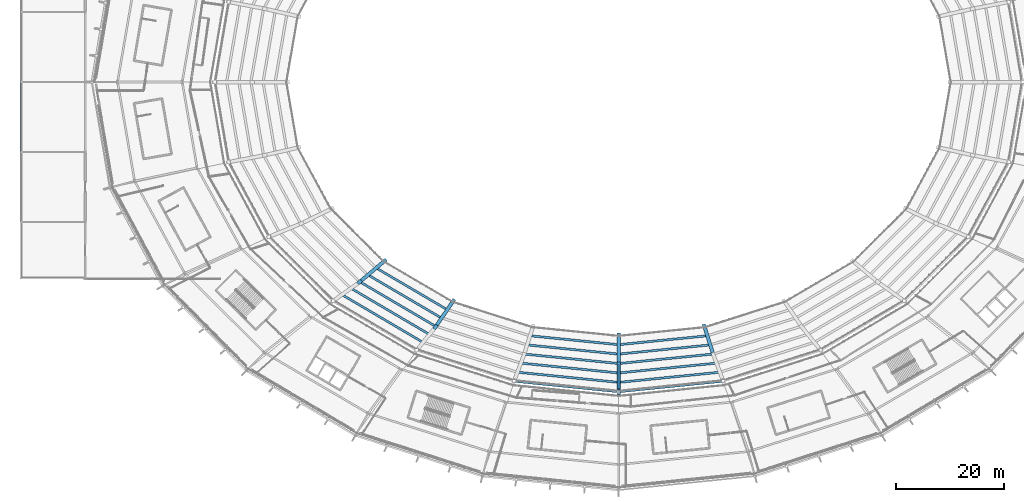
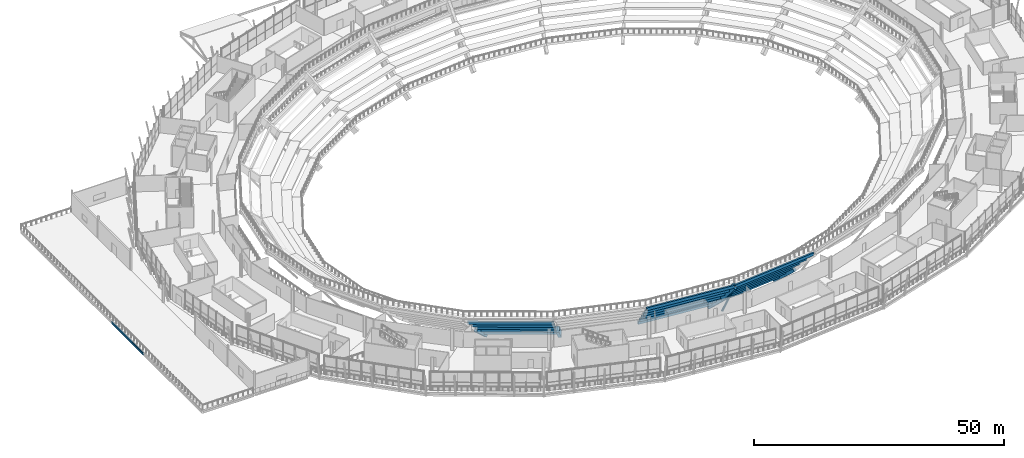
# One storey, part 24 of 126: 23 beams, 1 member.
"""IFC4 building model written with IfcOpenShell, lengths in metres."""

from ifc_helpers import new_model, si_unit, direction, frame, origin, origin_2d, place, context, subcontext, project, spatial, rectangle, hollow_circle, i_section, extrude, material, material_profile, profile_set, type_object, element, save


model = new_model("IFC4")

# Units and contexts
model_context = context("Model", 3, precision=1e-05, world=origin(), true_north=direction((0.0, 1.0)))
body_context = subcontext(model_context, "Body", "Model", "MODEL_VIEW")
ifc_project = project(units=[si_unit("LENGTHUNIT", "METRE"), si_unit("AREAUNIT", "SQUARE_METRE"), si_unit("VOLUMEUNIT", "CUBIC_METRE"), si_unit("PLANEANGLEUNIT", "RADIAN"), si_unit("MASSUNIT", "GRAM", prefix="KILO")], contexts=[model_context])

# Site, building, storey
site_placement = place(None, origin())
site = spatial("IfcSite", under=ifc_project, at=site_placement, CompositionType="ELEMENT")
building_placement = place(site_placement, origin())
building = spatial("IfcBuilding", under=site, at=building_placement, Name="Zlatoyarsky Gate Stadium", CompositionType="ELEMENT")
storey_placement = place(building_placement, frame((0.0, 0.0, 20.800048828125)))
storey = spatial("IfcBuildingStorey", under=building, at=storey_placement, Name="L04", CompositionType="ELEMENT", Elevation=20.800048828125)

# Beams
ifc_material_1 = material(Name="Concrete C40/50", Category="concrete")
ifc_material_profile_1 = material_profile(ifc_material_1, rectangle(XDim=0.39990234375, YDim=0.699951171875, at=origin_2d()), Name="RC BEAM 400X700")
ifc_profile_set_1 = profile_set([ifc_material_profile_1], Name="Concrete C40/50")
beam_type_1 = type_object("IfcBeamType", Name="CONCRETE FLOOR BEAM 400X700", PredefinedType="BEAM", material=ifc_profile_set_1)
beam_1_placement = place(storey_placement, frame((66.008056640625, 45.477783203125, -5.31005859375), z_axis=(0.862487853055, -0.506077764117, 0.0), x_axis=(0.506077764117, 0.862487853055, 0.0)))
element("IfcBeam", 1, at=beam_1_placement, inside=storey, type_object=beam_type_1, Name="Upper bowl step tie beam 15.1", PredefinedType="BEAM", context=body_context, shape_type="SweptSolid", body=[
    extrude(rectangle(XDim=0.39990234375, YDim=0.699951171875, at=origin_2d()), origin(), (0.0, 0.0, 1.0), 15.1083984375),
])
beam_2_placement = place(storey_placement, frame((64.417236328125, 44.240478515625, -3.41015625), z_axis=(0.862355376673, -0.506303470581, 0.0), x_axis=(0.506303470581, 0.862355376673, 0.0)))
element("IfcBeam", 2, at=beam_2_placement, inside=storey, type_object=beam_type_1, Name="Upper bowl step tie beam 15.2", PredefinedType="BEAM", context=body_context, shape_type="SweptSolid", body=[
    extrude(rectangle(XDim=0.39990234375, YDim=0.699951171875, at=origin_2d()), origin(), (0.0, 0.0, 1.0), 15.65087890625),
])
beam_3_placement = place(storey_placement, frame((62.826171875, 43.0029296875, -1.510009765625), z_axis=(0.862235591154, -0.50650743859, 0.0), x_axis=(0.50650743859, 0.862235591154, 0.0)))
element("IfcBeam", 3, at=beam_3_placement, inside=storey, type_object=beam_type_1, Name="Upper bowl step tie beam 15.3", PredefinedType="BEAM", context=body_context, shape_type="SweptSolid", body=[
    extrude(rectangle(XDim=0.39990234375, YDim=0.699951171875, at=origin_2d()), origin(), (0.0, 0.0, 1.0), 16.193603515625),
])
beam_4_placement = place(storey_placement, frame((61.235107421875, 41.765380859375, 0.389892578125), z_axis=(0.862129902882, -0.506687310435, 0.0), x_axis=(0.506687310435, 0.862129902882, 0.0)))
element("IfcBeam", 4, at=beam_4_placement, inside=storey, type_object=beam_type_1, Name="Upper bowl step tie beam 15.4", PredefinedType="BEAM", context=body_context, shape_type="SweptSolid", body=[
    extrude(rectangle(XDim=0.39990234375, YDim=0.699951171875, at=origin_2d()), origin(), (0.0, 0.0, 1.0), 16.736083984375),
])
beam_5_placement = place(storey_placement, frame((59.644287109375, 40.528076171875, 2.2900390625), z_axis=(0.862014840694, -0.506883038209, 0.0), x_axis=(0.506883038209, 0.862014840694, 0.0)))
element("IfcBeam", 5, at=beam_5_placement, inside=storey, type_object=beam_type_1, Name="Upper bowl step tie beam 15.5", PredefinedType="BEAM", context=body_context, shape_type="SweptSolid", body=[
    extrude(rectangle(XDim=0.39990234375, YDim=0.699951171875, at=origin_2d()), origin(), (0.0, 0.0, 1.0), 17.27880859375),
])
beam_6_placement = place(storey_placement, frame((94.599853515625, 32.901123046875, -5.31005859375), z_axis=(0.994970127488, -0.100172078976, 0.0), x_axis=(0.100172078976, 0.994970127488, 0.0)))
element("IfcBeam", 6, at=beam_6_placement, inside=storey, type_object=beam_type_1, Name="Upper bowl step tie beam 17.1", PredefinedType="BEAM", context=body_context, shape_type="SweptSolid", body=[
    extrude(rectangle(XDim=0.39990234375, YDim=0.699951171875, at=origin_2d()), origin(), (0.0, 0.0, 1.0), 16.383056640625),
])
beam_7_placement = place(storey_placement, frame((94.017333984375, 31.210693359375, -3.41015625), z_axis=(0.99496470381, -0.100225935632, 0.0), x_axis=(0.100225935632, 0.99496470381, 0.0)))
element("IfcBeam", 7, at=beam_7_placement, inside=storey, type_object=beam_type_1, Name="Upper bowl step tie beam 17.2", PredefinedType="BEAM", context=body_context, shape_type="SweptSolid", body=[
    extrude(rectangle(XDim=0.39990234375, YDim=0.699951171875, at=origin_2d()), origin(), (0.0, 0.0, 1.0), 16.968505859375),
])
beam_8_placement = place(storey_placement, frame((93.43505859375, 29.5205078125, -1.510009765625), z_axis=(0.994958111752, -0.100291354858, 0.0), x_axis=(0.100291354858, 0.994958111752, 0.0)))
element("IfcBeam", 8, at=beam_8_placement, inside=storey, type_object=beam_type_1, Name="Upper bowl step tie beam 17.3", PredefinedType="BEAM", context=body_context, shape_type="SweptSolid", body=[
    extrude(rectangle(XDim=0.39990234375, YDim=0.699951171875, at=origin_2d()), origin(), (0.0, 0.0, 1.0), 17.553955078125),
])
beam_9_placement = place(storey_placement, frame((92.852783203125, 27.830078125, 0.389892578125), z_axis=(0.994953285012, -0.100339227842, 0.0), x_axis=(0.100339227842, 0.994953285012, 0.0)))
element("IfcBeam", 9, at=beam_9_placement, inside=storey, type_object=beam_type_1, Name="Upper bowl step tie beam 17.4", PredefinedType="BEAM", context=body_context, shape_type="SweptSolid", body=[
    extrude(rectangle(XDim=0.39990234375, YDim=0.699951171875, at=origin_2d()), origin(), (0.0, 0.0, 1.0), 18.13916015625),
])
beam_10_placement = place(storey_placement, frame((92.2705078125, 26.1396484375, 2.2900390625), z_axis=(0.994948757941, -0.100384107661, 0.0), x_axis=(0.100384107661, 0.994948757941, 0.0)))
element("IfcBeam", 10, at=beam_10_placement, inside=storey, type_object=beam_type_1, Name="Upper bowl step tie beam 17.5", PredefinedType="BEAM", context=body_context, shape_type="SweptSolid", body=[
    extrude(rectangle(XDim=0.39990234375, YDim=0.699951171875, at=origin_2d()), origin(), (0.0, 0.0, 1.0), 18.724365234375),
])
beam_11_placement = place(storey_placement, frame((91.68798828125, 24.44921875, 4.18994140625), z_axis=(0.994944630986, -0.100425003227, 0.0), x_axis=(0.100425003227, 0.994944630986, 0.0)))
element("IfcBeam", 11, at=beam_11_placement, inside=storey, type_object=beam_type_1, Name="Upper bowl step tie beam 17.6", PredefinedType="BEAM", context=body_context, shape_type="SweptSolid", body=[
    extrude(rectangle(XDim=0.39990234375, YDim=0.699951171875, at=origin_2d()), origin(), (0.0, 0.0, 1.0), 19.31005859375),
])
beam_12_placement = place(storey_placement, frame((111.099609375, 31.260009765625, -5.31005859375), z_axis=(0.994970127488, 0.100172078976, 0.0), x_axis=(-0.100172078976, 0.994970127488, 0.0)))
element("IfcBeam", 12, at=beam_12_placement, inside=storey, type_object=beam_type_1, Name="Upper bowl step tie beam 18.1", PredefinedType="BEAM", context=body_context, shape_type="SweptSolid", body=[
    extrude(rectangle(XDim=0.39990234375, YDim=0.699951171875, at=origin_2d()), origin(), (0.0, 0.0, 1.0), 16.383056640625),
])
beam_13_placement = place(storey_placement, frame((111.099609375, 29.510009765625, -3.41015625), z_axis=(0.99496470381, 0.100225935632, 0.0), x_axis=(-0.100225935632, 0.99496470381, 0.0)))
element("IfcBeam", 13, at=beam_13_placement, inside=storey, type_object=beam_type_1, Name="Upper bowl step tie beam 18.2", PredefinedType="BEAM", context=body_context, shape_type="SweptSolid", body=[
    extrude(rectangle(XDim=0.39990234375, YDim=0.699951171875, at=origin_2d()), origin(), (0.0, 0.0, 1.0), 16.968505859375),
])
beam_14_placement = place(storey_placement, frame((111.099609375, 27.760009765625, -1.510009765625), z_axis=(0.994958111752, 0.100291354858, 0.0), x_axis=(-0.100291354858, 0.994958111752, 0.0)))
element("IfcBeam", 14, at=beam_14_placement, inside=storey, type_object=beam_type_1, Name="Upper bowl step tie beam 18.3", PredefinedType="BEAM", context=body_context, shape_type="SweptSolid", body=[
    extrude(rectangle(XDim=0.39990234375, YDim=0.699951171875, at=origin_2d()), origin(), (0.0, 0.0, 1.0), 17.553955078125),
])
beam_15_placement = place(storey_placement, frame((111.099609375, 26.010009765625, 0.389892578125), z_axis=(0.994953285012, 0.100339227842, 0.0), x_axis=(-0.100339227842, 0.994953285012, 0.0)))
element("IfcBeam", 15, at=beam_15_placement, inside=storey, type_object=beam_type_1, Name="Upper bowl step tie beam 18.4", PredefinedType="BEAM", context=body_context, shape_type="SweptSolid", body=[
    extrude(rectangle(XDim=0.39990234375, YDim=0.699951171875, at=origin_2d()), origin(), (0.0, 0.0, 1.0), 18.13916015625),
])
beam_16_placement = place(storey_placement, frame((111.099609375, 24.260009765625, 2.2900390625), z_axis=(0.994948757941, 0.100384107661, 0.0), x_axis=(-0.100384107661, 0.994948757941, 0.0)))
element("IfcBeam", 16, at=beam_16_placement, inside=storey, type_object=beam_type_1, Name="Upper bowl step tie beam 18.5", PredefinedType="BEAM", context=body_context, shape_type="SweptSolid", body=[
    extrude(rectangle(XDim=0.39990234375, YDim=0.699951171875, at=origin_2d()), origin(), (0.0, 0.0, 1.0), 18.724365234375),
])
beam_17_placement = place(storey_placement, frame((111.099609375, 22.510009765625, 4.18994140625), z_axis=(0.994944630986, 0.100425003227, 0.0), x_axis=(-0.100425003227, 0.994944630986, 0.0)))
element("IfcBeam", 17, at=beam_17_placement, inside=storey, type_object=beam_type_1, Name="Upper bowl step tie beam 18.6", PredefinedType="BEAM", context=body_context, shape_type="SweptSolid", body=[
    extrude(rectangle(XDim=0.39990234375, YDim=0.699951171875, at=origin_2d()), origin(), (0.0, 0.0, 1.0), 19.31005859375),
])
ifc_material_2 = material(Name="Precast concrete C40/50", Category="concrete")
ifc_material_profile_2 = material_profile(ifc_material_2, rectangle(XDim=0.64990234375, YDim=1.35009765625, at=origin_2d()), Name="PC RAKER 650X1350")
ifc_profile_set_2 = profile_set([ifc_material_profile_2], Name="Precast concrete C40/50")
beam_type_2 = type_object("IfcBeamType", Name="PRECAST UPPER BOWL RAKER 650X1350", PredefinedType="USERDEFINED", material=ifc_profile_set_2)
beam_18_placement = place(storey_placement, frame((67.512939453125, 46.76611328125, -6.949951171875), z_axis=(-0.576313103177, -0.487658968108, 0.655783453535), x_axis=(0.645949512336, -0.763380133035, 0.0)))
element("IfcBeam", 18, at=beam_18_placement, inside=storey, type_object=beam_type_2, Name="Upper bowl radial raker 15 inner", ObjectType="RAKER", PredefinedType="USERDEFINED", context=body_context, shape_type="SweptSolid", body=[
    extrude(rectangle(XDim=0.64990234375, YDim=1.35009765625, at=origin_2d()), origin(), (0.0, 0.0, 1.0), 7.97509765625),
])
beam_19_placement = place(storey_placement, frame((80.25, 39.296875, -6.949951171875), z_axis=(-0.417480208866, -0.611856886642, 0.671819488757), x_axis=(0.826035604604, -0.563617937903, 0.0)))
element("IfcBeam", 19, at=beam_19_placement, inside=storey, type_object=beam_type_2, Name="Upper bowl radial raker 16 inner", ObjectType="RAKER", PredefinedType="USERDEFINED", context=body_context, shape_type="SweptSolid", body=[
    extrude(rectangle(XDim=0.64990234375, YDim=1.35009765625, at=origin_2d()), origin(), (0.0, 0.0, 1.0), 7.784912109375),
])
beam_20_placement = place(storey_placement, frame((111.0, 33.0, -6.949951171875), z_axis=(0.0, -0.724671673189, 0.689094308551), x_axis=(1.0, 0.0, 0.0)))
element("IfcBeam", 20, at=beam_20_placement, inside=storey, type_object=beam_type_2, Name="Upper bowl radial raker 18 inner", ObjectType="RAKER", PredefinedType="USERDEFINED", context=body_context, shape_type="SweptSolid", body=[
    extrude(rectangle(XDim=0.64990234375, YDim=1.35009765625, at=origin_2d()), origin(), (0.0, 0.0, 1.0), 7.589599609375),
])
beam_21_placement = place(storey_placement, frame((111.0, 27.5, -1.719970703125), z_axis=(0.0, -0.645889931043, 0.763430544959), x_axis=(1.0, 0.0, 0.0)))
element("IfcBeam", 21, at=beam_21_placement, inside=storey, type_object=beam_type_2, Name="Upper bowl radial raker 18 outer", ObjectType="RAKER", PredefinedType="USERDEFINED", context=body_context, shape_type="SweptSolid", body=[
    extrude(rectangle(XDim=0.64990234375, YDim=1.35009765625, at=origin_2d()), origin(), (0.0, 0.0, 1.0), 7.7412109375),
])
beam_22_placement = place(storey_placement, frame((126.91748046875, 34.6015625, -6.949951171875), z_axis=(0.220102487858, -0.695159686253, 0.684330260508), x_axis=(0.953354623254, 0.301852550628, 0.0)))
element("IfcBeam", 22, at=beam_22_placement, inside=storey, type_object=beam_type_2, Name="Upper bowl radial raker 19 inner", ObjectType="RAKER", PredefinedType="USERDEFINED", context=body_context, shape_type="SweptSolid", body=[
    extrude(rectangle(XDim=0.64990234375, YDim=1.35009765625, at=origin_2d()), origin(), (0.0, 0.0, 1.0), 7.642578125),
])

# Member
ifc_material_3 = material(Name="Steel S355", Category="steel")
ifc_material_profile_3 = material_profile(ifc_material_3, hollow_circle(Radius=0.228515625, WallThickness=0.02490234375, at=origin_2d()), Name="CHS 457X25")
ifc_profile_set_3 = profile_set([ifc_material_profile_3], Name="Steel S355")
member_type = type_object("IfcMemberType", Name="STEEL BACKSPAN TIE STRUT CHS 457X25", PredefinedType="STRUT", material=ifc_profile_set_3)
member_placement = place(storey_placement, frame((111.0, 27.5, -4.85009765625), z_axis=(0.0, -0.483996703285, 0.875069820763), x_axis=(1.0, 0.0, 0.0)))
element("IfcMember", 23, at=member_placement, inside=storey, type_object=member_type, Name="Upper tier outer raker prop strut 18", PredefinedType="STRUT", context=body_context, shape_type="SweptSolid", body=[
    extrude(hollow_circle(Radius=0.228515625, WallThickness=0.02490234375, at=origin_2d()), origin(), (0.0, 0.0, 1.0), 10.33056640625),
])

# Beam
ifc_material_profile_4 = material_profile(ifc_material_3, i_section(OverallWidth=0.2099609375, OverallDepth=0.550048828125, WebThickness=0.010986328125, FlangeThickness=0.01708984375, FilletRadius=0.02392578125, at=origin_2d()), Name="IPE 550")
ifc_profile_set_4 = profile_set([ifc_material_profile_4], Name="Steel S355")
beam_type_3 = type_object("IfcBeamType", Name="STEEL FLOOR BEAM IPE 550", PredefinedType="BEAM", material=ifc_profile_set_4)
beam_23_placement = place(storey_placement, frame((0.0, 67.080078125, -0.594970703125), z_axis=(0.0, 1.0, 0.0), x_axis=(-1.0, 0.0, 0.0)))
element("IfcBeam", 24, at=beam_23_placement, inside=storey, type_object=beam_type_3, Name="Beam B-IPE550 BM-L04-WGY-1-G", PredefinedType="BEAM", context=body_context, shape_type="SweptSolid", body=[
    extrude(i_section(OverallWidth=0.2099609375, OverallDepth=0.550048828125, WebThickness=0.010986328125, FlangeThickness=0.01708984375, FilletRadius=0.02392578125, at=origin_2d()), origin(), (0.0, 0.0, 1.0), 12.83984375),
])

save(model, "model.ifc")
